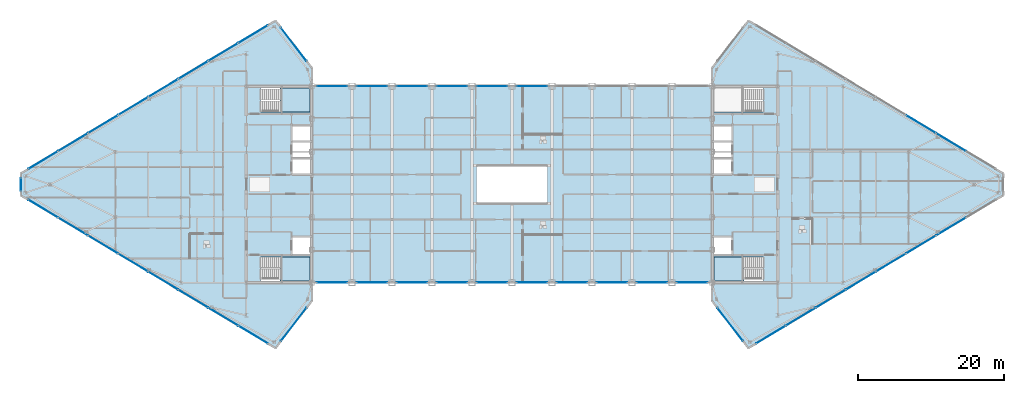
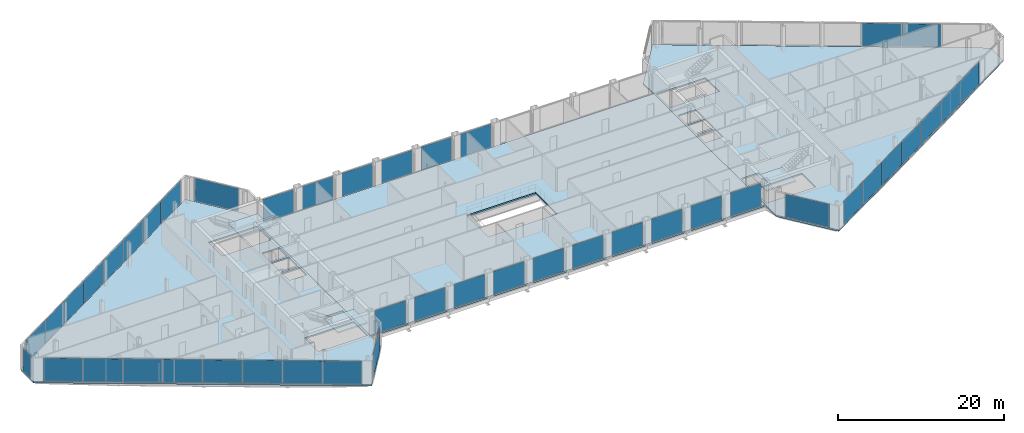
# One storey, part 19 of 29: 45 plates, 6 slabs, 27 elements without a shape of their own.
"""IFC4 building model written with IfcOpenShell, lengths in metres."""

from ifc_helpers import new_model, si_unit, direction, frame, origin, origin_2d, place, context, subcontext, project, spatial, polyline, rectangle, outline, extrude, source, transform, mapped, material, layer, layer_set, type_object, type_shapes, element, aggregate, save


model = new_model("IFC4")

# Units and contexts
model_context = context("Model", 3, precision=1e-05, world=origin(), true_north=direction((0.0, 1.0)))
body_context = subcontext(model_context, "Body", "Model", "MODEL_VIEW")
ifc_project = project(units=[si_unit("LENGTHUNIT", "METRE"), si_unit("AREAUNIT", "SQUARE_METRE"), si_unit("VOLUMEUNIT", "CUBIC_METRE"), si_unit("PLANEANGLEUNIT", "RADIAN"), si_unit("MASSUNIT", "GRAM", prefix="KILO")], contexts=[model_context])

# Site, building, storey
site_placement = place(None, origin())
site = spatial("IfcSite", under=ifc_project, at=site_placement, CompositionType="ELEMENT")
building_placement = place(site_placement, origin())
building = spatial("IfcBuilding", under=site, at=building_placement, Name="Seokmaru Belvedere", CompositionType="ELEMENT")
storey_placement = place(building_placement, frame((0.0, 0.0, 250.64990234375)))
storey = spatial("IfcBuildingStorey", under=building, at=storey_placement, Name="L66", CompositionType="ELEMENT", Elevation=250.64990234375)

# Stair, slab
ifc_material_1 = material(Name="Concrete C40 (40 MPa)", Category="concrete")
stair_type = type_object("IfcStairType", Name="Sky-Gate Residential Core Dog-Leg Stair 3750", PredefinedType="TWO_STRAIGHT_RUN_STAIR", material=ifc_material_1)
stair_1_placement = place(storey_placement, origin())
stair_1 = element("IfcStair", 1, at=stair_1_placement, inside=storey, type_object=stair_type, Name="L66 Special Escape Stair ST-W1", PredefinedType="TWO_STRAIGHT_RUN_STAIR")
ifc_layer_1 = layer(ifc_material_1, 0.199951171875)
ifc_layer_set_1 = layer_set([ifc_layer_1], Name="Concrete C40 (40 MPa)")
slab_type_1 = type_object("IfcSlabType", Name="Reinforced Concrete Stair Landing Slab 200", PredefinedType="LANDING", material=ifc_layer_set_1)
slab_1_placement = place(storey_placement, frame((0.0, 0.0, 1.675048828125)))
slab_1 = element("IfcSlab", 2, at=slab_1_placement, type_object=slab_type_1, Name="ST-W1 landing 1", PredefinedType="LANDING", context=body_context, shape_type="SweptSolid", body=[
    extrude(outline(polyline([(-31.8798828125, -13.239990234375), (-27.760009765625, -13.239990234375), (-27.760009765625, -9.949951171875), (-31.8798828125, -9.949951171875), (-31.8798828125, -13.239990234375)])), origin(), (0.0, 0.0, 1.0), 0.199951171875),
])
aggregate(stair_1, [slab_1])

stair_2_placement = place(storey_placement, origin())
stair_2 = element("IfcStair", 3, at=stair_2_placement, inside=storey, type_object=stair_type, Name="L66 Special Escape Stair ST-W2", PredefinedType="TWO_STRAIGHT_RUN_STAIR")
slab_2_placement = place(storey_placement, frame((0.0, 0.0, 1.675048828125)))
slab_2 = element("IfcSlab", 4, at=slab_2_placement, type_object=slab_type_1, Name="ST-W2 landing 1", PredefinedType="LANDING", context=body_context, shape_type="SweptSolid", body=[
    extrude(outline(polyline([(-31.8798828125, 9.949951171875), (-27.760009765625, 9.949951171875), (-27.760009765625, 13.239990234375), (-31.8798828125, 13.239990234375), (-31.8798828125, 9.949951171875)])), origin(), (0.0, 0.0, 1.0), 0.199951171875),
])
aggregate(stair_2, [slab_2])

stair_3_placement = place(storey_placement, origin())
stair_3 = element("IfcStair", 5, at=stair_3_placement, inside=storey, type_object=stair_type, Name="L66 Special Escape Stair ST-E1", PredefinedType="TWO_STRAIGHT_RUN_STAIR")
slab_3_placement = place(storey_placement, frame((0.0, 0.0, 1.675048828125)))
slab_3 = element("IfcSlab", 6, at=slab_3_placement, type_object=slab_type_1, Name="ST-E1 landing 1", PredefinedType="LANDING", context=body_context, shape_type="SweptSolid", body=[
    extrude(outline(polyline([(27.760009765625, -13.239990234375), (31.8798828125, -13.239990234375), (31.8798828125, -9.949951171875), (27.760009765625, -9.949951171875), (27.760009765625, -13.239990234375)])), origin(), (0.0, 0.0, 1.0), 0.199951171875),
])
aggregate(stair_3, [slab_3])

# Slabs
ifc_layer_2 = layer(ifc_material_1, 0.219970703125)
ifc_layer_set_2 = layer_set([ifc_layer_2], Name="Concrete C40 (40 MPa)")
slab_type_2 = type_object("IfcSlabType", Name="Typical Tower Composite Floor Slab 220", PredefinedType="FLOOR", material=ifc_layer_set_2)
slab_4_placement = place(storey_placement, frame((0.0, 0.0, -0.219970703125)))
element("IfcSlab", 7, at=slab_4_placement, inside=storey, type_object=slab_type_2, Name="L66 West Leg Floor Slab", PredefinedType="FLOOR", context=body_context, shape_type="SweptSolid", body=[
    extrude(outline(polyline([(-27.5, -16.0), (-27.5, 16.0), (-32.5, 22.5), (-67.5, 1.5), (-67.5, -1.5), (-32.5, -22.5), (-27.5, -16.0)]), holes=[polyline([(-34.60009765625, -13.25), (-27.75, -13.25), (-27.75, -9.949951171875), (-34.60009765625, -9.949951171875), (-34.60009765625, -13.25)]), polyline([(-34.60009765625, 9.949951171875), (-27.75, 9.949951171875), (-27.75, 13.25), (-34.60009765625, 13.25), (-34.60009765625, 9.949951171875)]), polyline([(-30.14990234375, -9.550048828125), (-27.75, -9.550048828125), (-27.75, -7.25), (-30.14990234375, -7.25), (-30.14990234375, -9.550048828125)]), polyline([(-30.14990234375, 1.449951171875), (-27.75, 1.449951171875), (-27.75, 3.449951171875), (-30.14990234375, 3.449951171875), (-30.14990234375, 1.449951171875)]), polyline([(-30.14990234375, 3.75), (-27.75, 3.75), (-27.75, 5.75), (-30.14990234375, 5.75), (-30.14990234375, 3.75)]), polyline([(-30.14990234375, 6.050048828125), (-27.75, 6.050048828125), (-27.75, 8.050048828125), (-30.14990234375, 8.050048828125), (-30.14990234375, 6.050048828125)])]), origin(), (0.0, 0.0, 1.0), 0.219970703125),
])
slab_5_placement = place(storey_placement, frame((0.0, 0.0, -0.219970703125)))
element("IfcSlab", 8, at=slab_5_placement, inside=storey, type_object=slab_type_2, Name="L66 East Leg Floor Slab", PredefinedType="FLOOR", context=body_context, shape_type="SweptSolid", body=[
    extrude(outline(polyline([(32.5, -22.5), (67.5, -1.5), (67.5, 1.5), (32.5, 22.5), (27.5, 16.0), (27.5, -16.0), (32.5, -22.5)]), holes=[polyline([(27.75, -13.25), (34.60009765625, -13.25), (34.60009765625, -9.949951171875), (27.75, -9.949951171875), (27.75, -13.25)]), polyline([(27.75, 9.949951171875), (34.60009765625, 9.949951171875), (34.60009765625, 13.25), (27.75, 13.25), (27.75, 9.949951171875)]), polyline([(27.75, -9.550048828125), (30.14990234375, -9.550048828125), (30.14990234375, -7.25), (27.75, -7.25), (27.75, -9.550048828125)]), polyline([(27.75, 1.449951171875), (30.14990234375, 1.449951171875), (30.14990234375, 3.449951171875), (27.75, 3.449951171875), (27.75, 1.449951171875)]), polyline([(27.75, 3.75), (30.14990234375, 3.75), (30.14990234375, 5.75), (27.75, 5.75), (27.75, 3.75)]), polyline([(27.75, 6.050048828125), (30.14990234375, 6.050048828125), (30.14990234375, 8.050048828125), (27.75, 8.050048828125), (27.75, 6.050048828125)])]), origin(), (0.0, 0.0, 1.0), 0.219970703125),
])
slab_6_placement = place(storey_placement, frame((0.0, 0.0, -0.219970703125)))
element("IfcSlab", 9, at=slab_6_placement, inside=storey, type_object=slab_type_2, Name="L66 Sky-Gate Bridge Floor Slab", PredefinedType="FLOOR", context=body_context, shape_type="SweptSolid", body=[
    extrude(outline(polyline([(-27.5, -13.5), (27.5, -13.5), (27.5, 13.5), (-27.5, 13.5), (-27.5, -13.5)]), holes=[polyline([(-4.800048828125, -2.60009765625), (4.800048828125, -2.60009765625), (4.800048828125, 2.60009765625), (-4.800048828125, 2.60009765625), (-4.800048828125, -2.60009765625)])]), origin(), (0.0, 0.0, 1.0), 0.219970703125),
])

# Curtain wall, plate
ifc_material_2 = material(Name="Bronze Triple Insulating Glass", Category="glass")
ifc_layer_3 = layer(ifc_material_2, 0.219970703125)
ifc_layer_set_3 = layer_set([ifc_layer_3], Name="Bronze Triple Insulating Glass")
curtain_wall_type = type_object("IfcCurtainWallType", Name="Sky-Gate Bridge Panorama Curtain Wall System CW-6", PredefinedType="NOTDEFINED", material=ifc_layer_set_3)
curtain_wall_1_placement = place(storey_placement, origin())
curtain_wall_1 = element("IfcCurtainWall", 10, at=curtain_wall_1_placement, inside=storey, type_object=curtain_wall_type, Name="L66 Curtain Wall WF2", PredefinedType="NOTDEFINED")
ifc_layer_4 = layer(ifc_material_2, 0.0419921875)
ifc_layer_set_4 = layer_set([ifc_layer_4], Name="Bronze Triple Insulating Glass")
plate_type = type_object("IfcPlateType", Name="Acoustic Laminated Panorama Glazing Panel 42", PredefinedType="CURTAIN_PANEL", material=ifc_layer_set_4)
shared_shape_1 = source(origin(), body_context, "Body", "SweptSolid", [
    extrude(rectangle(XDim=5.740478515625, YDim=0.0419921875, at=origin_2d()), origin(), (0.0, 0.0, 1.0), 3.3798828125),
])
plate_1_placement = place(storey_placement, frame((-30.0, 19.25, 0.0751953125), z_axis=(0.0, 0.0, 1.0), x_axis=(-0.609701187349, 0.792631353244, 0.0)))
plate_1 = element("IfcPlate", 11, at=plate_1_placement, type_object=plate_type, Name="CW:L66:WF2 Glazing Panel 1-1", PredefinedType="CURTAIN_PANEL", context=body_context, shape_type="MappedRepresentation", body=[
    mapped(shared_shape_1, transform((0.0, 0.0, 0.0), scale=1.0)),
])
aggregate(curtain_wall_1, [plate_1])

curtain_wall_2_placement = place(storey_placement, origin())
curtain_wall_2 = element("IfcCurtainWall", 12, at=curtain_wall_2_placement, inside=storey, type_object=curtain_wall_type, Name="L66 Curtain Wall WF6", PredefinedType="NOTDEFINED")
plate_2_placement = place(storey_placement, frame((-30.0, -19.25, 0.0751953125), z_axis=(0.0, 0.0, 1.0), x_axis=(0.609701187349, 0.792631353244, 0.0)))
plate_2 = element("IfcPlate", 13, at=plate_2_placement, type_object=plate_type, Name="CW:L66:WF6 Glazing Panel 1-1", PredefinedType="CURTAIN_PANEL", context=body_context, shape_type="MappedRepresentation", body=[
    mapped(shared_shape_1, transform((0.0, 0.0, 0.0), scale=1.0)),
])
aggregate(curtain_wall_2, [plate_2])

curtain_wall_3_placement = place(storey_placement, origin())
curtain_wall_3 = element("IfcCurtainWall", 14, at=curtain_wall_3_placement, inside=storey, type_object=curtain_wall_type, Name="L66 Curtain Wall EF6", PredefinedType="NOTDEFINED")
plate_3_placement = place(storey_placement, frame((30.0, -19.25, 0.0751953125), z_axis=(0.0, 0.0, 1.0), x_axis=(0.609701187349, -0.792631353244, 0.0)))
plate_3 = element("IfcPlate", 15, at=plate_3_placement, type_object=plate_type, Name="CW:L66:EF6 Glazing Panel 1-1", PredefinedType="CURTAIN_PANEL", context=body_context, shape_type="MappedRepresentation", body=[
    mapped(shared_shape_1, transform((0.0, 0.0, 0.0), scale=1.0)),
])
aggregate(curtain_wall_3, [plate_3])

# Curtain wall, plates
curtain_wall_4_placement = place(storey_placement, origin())
curtain_wall_4 = element("IfcCurtainWall", 16, at=curtain_wall_4_placement, inside=storey, type_object=curtain_wall_type, Name="L66 Curtain Wall WF3", PredefinedType="NOTDEFINED")
shared_shape_2 = source(origin(), body_context, "Body", "SweptSolid", [
    extrude(rectangle(XDim=4.694580078125, YDim=0.0419921875, at=origin_2d()), origin(), (0.0, 0.0, 1.0), 3.3798828125),
])
plate_4_placement = place(storey_placement, frame((-35.5673828125, 20.659423828125, 0.0751953125), z_axis=(0.0, 0.0, 1.0), x_axis=(-0.85749343335, -0.514494909364, 0.0)))
plate_4 = element("IfcPlate", 17, at=plate_4_placement, type_object=plate_type, Name="CW:L66:WF3 Glazing Panel 1-1", PredefinedType="CURTAIN_PANEL", context=body_context, shape_type="MappedRepresentation", body=[
    mapped(shared_shape_2, transform((0.0, 0.0, 0.0), scale=1.0)),
])
plate_5_placement = place(storey_placement, frame((-64.4326171875, 3.340576171875, 0.0751953125), z_axis=(0.0, 0.0, 1.0), x_axis=(-0.85749343335, -0.514494909364, 0.0)))
plate_5 = element("IfcPlate", 18, at=plate_5_placement, type_object=plate_type, Name="CW:L66:WF3 Glazing Panel 8-1", PredefinedType="CURTAIN_PANEL", context=body_context, shape_type="MappedRepresentation", body=[
    mapped(shared_shape_2, transform((0.0, 0.0, 0.0), scale=1.0)),
])

curtain_wall_5_placement = place(storey_placement, origin())
curtain_wall_5 = element("IfcCurtainWall", 19, at=curtain_wall_5_placement, inside=storey, type_object=curtain_wall_type, Name="L66 Curtain Wall WF5", PredefinedType="NOTDEFINED")
plate_6_placement = place(storey_placement, frame((-64.4326171875, -3.340576171875, 0.0751953125), z_axis=(0.0, 0.0, 1.0), x_axis=(0.85749343335, -0.514494909364, 0.0)))
plate_6 = element("IfcPlate", 20, at=plate_6_placement, type_object=plate_type, Name="CW:L66:WF5 Glazing Panel 1-1", PredefinedType="CURTAIN_PANEL", context=body_context, shape_type="MappedRepresentation", body=[
    mapped(shared_shape_2, transform((0.0, 0.0, 0.0), scale=1.0)),
])
plate_7_placement = place(storey_placement, frame((-35.5673828125, -20.659423828125, 0.0751953125), z_axis=(0.0, 0.0, 1.0), x_axis=(0.85749343335, -0.514494909364, 0.0)))
plate_7 = element("IfcPlate", 21, at=plate_7_placement, type_object=plate_type, Name="CW:L66:WF5 Glazing Panel 8-1", PredefinedType="CURTAIN_PANEL", context=body_context, shape_type="MappedRepresentation", body=[
    mapped(shared_shape_2, transform((0.0, 0.0, 0.0), scale=1.0)),
])

# Curtain wall, plate
curtain_wall_6_placement = place(storey_placement, origin())
curtain_wall_6 = element("IfcCurtainWall", 22, at=curtain_wall_6_placement, inside=storey, type_object=curtain_wall_type, Name="L66 Curtain Wall EF1", PredefinedType="NOTDEFINED")
plate_8_placement = place(storey_placement, frame((35.5673828125, -20.659423828125, 0.0751953125), z_axis=(0.0, 0.0, 1.0), x_axis=(0.85749343335, 0.514494909364, 0.0)))
plate_8 = element("IfcPlate", 23, at=plate_8_placement, type_object=plate_type, Name="CW:L66:EF1 Glazing Panel 1-1", PredefinedType="CURTAIN_PANEL", context=body_context, shape_type="MappedRepresentation", body=[
    mapped(shared_shape_2, transform((0.0, 0.0, 0.0), scale=1.0)),
])

# Plate
shared_shape_3 = source(origin(), body_context, "Body", "SweptSolid", [
    extrude(rectangle(XDim=4.734619140625, YDim=0.0419921875, at=origin_2d()), origin(), (0.0, 0.0, 1.0), 3.3798828125),
])
plate_9_placement = place(storey_placement, frame((-39.6787109375, 18.192626953125, 0.0751953125), z_axis=(0.0, 0.0, 1.0), x_axis=(-0.85749343335, -0.514494909364, 0.0)))
plate_9 = element("IfcPlate", 24, at=plate_9_placement, type_object=plate_type, Name="CW:L66:WF3 Glazing Panel 2-1", PredefinedType="CURTAIN_PANEL", context=body_context, shape_type="MappedRepresentation", body=[
    mapped(shared_shape_3, transform((0.0, 0.0, 0.0), scale=1.0)),
])

plate_10_placement = place(storey_placement, frame((-43.807373046875, 15.715576171875, 0.0751953125), z_axis=(0.0, 0.0, 1.0), x_axis=(-0.85749343335, -0.514494909364, 0.0)))
plate_10 = element("IfcPlate", 25, at=plate_10_placement, type_object=plate_type, Name="CW:L66:WF3 Glazing Panel 3-1", PredefinedType="CURTAIN_PANEL", context=body_context, shape_type="MappedRepresentation", body=[
    mapped(shared_shape_3, transform((0.0, 0.0, 0.0), scale=1.0)),
])

plate_11_placement = place(storey_placement, frame((-47.935791015625, 13.238525390625, 0.0751953125), z_axis=(0.0, 0.0, 1.0), x_axis=(-0.85749343335, -0.514494909364, 0.0)))
plate_11 = element("IfcPlate", 26, at=plate_11_placement, type_object=plate_type, Name="CW:L66:WF3 Glazing Panel 4-1", PredefinedType="CURTAIN_PANEL", context=body_context, shape_type="MappedRepresentation", body=[
    mapped(shared_shape_3, transform((0.0, 0.0, 0.0), scale=1.0)),
])

plate_12_placement = place(storey_placement, frame((-52.064208984375, 10.761474609375, 0.0751953125), z_axis=(0.0, 0.0, 1.0), x_axis=(-0.85749343335, -0.514494909364, 0.0)))
plate_12 = element("IfcPlate", 27, at=plate_12_placement, type_object=plate_type, Name="CW:L66:WF3 Glazing Panel 5-1", PredefinedType="CURTAIN_PANEL", context=body_context, shape_type="MappedRepresentation", body=[
    mapped(shared_shape_3, transform((0.0, 0.0, 0.0), scale=1.0)),
])

plate_13_placement = place(storey_placement, frame((-56.192626953125, 8.284423828125, 0.0751953125), z_axis=(0.0, 0.0, 1.0), x_axis=(-0.85749343335, -0.514494909364, 0.0)))
plate_13 = element("IfcPlate", 28, at=plate_13_placement, type_object=plate_type, Name="CW:L66:WF3 Glazing Panel 6-1", PredefinedType="CURTAIN_PANEL", context=body_context, shape_type="MappedRepresentation", body=[
    mapped(shared_shape_3, transform((0.0, 0.0, 0.0), scale=1.0)),
])

plate_14_placement = place(storey_placement, frame((-60.3212890625, 5.807373046875, 0.0751953125), z_axis=(0.0, 0.0, 1.0), x_axis=(-0.85749343335, -0.514494909364, 0.0)))
plate_14 = element("IfcPlate", 29, at=plate_14_placement, type_object=plate_type, Name="CW:L66:WF3 Glazing Panel 7-1", PredefinedType="CURTAIN_PANEL", context=body_context, shape_type="MappedRepresentation", body=[
    mapped(shared_shape_3, transform((0.0, 0.0, 0.0), scale=1.0)),
])

aggregate(curtain_wall_4, [plate_4, plate_9, plate_10, plate_11, plate_12, plate_13, plate_14, plate_5])

plate_15_placement = place(storey_placement, frame((-60.3212890625, -5.807373046875, 0.0751953125), z_axis=(0.0, 0.0, 1.0), x_axis=(0.85749343335, -0.514494909364, 0.0)))
plate_15 = element("IfcPlate", 30, at=plate_15_placement, type_object=plate_type, Name="CW:L66:WF5 Glazing Panel 2-1", PredefinedType="CURTAIN_PANEL", context=body_context, shape_type="MappedRepresentation", body=[
    mapped(shared_shape_3, transform((0.0, 0.0, 0.0), scale=1.0)),
])

plate_16_placement = place(storey_placement, frame((-56.192626953125, -8.284423828125, 0.0751953125), z_axis=(0.0, 0.0, 1.0), x_axis=(0.85749343335, -0.514494909364, 0.0)))
plate_16 = element("IfcPlate", 31, at=plate_16_placement, type_object=plate_type, Name="CW:L66:WF5 Glazing Panel 3-1", PredefinedType="CURTAIN_PANEL", context=body_context, shape_type="MappedRepresentation", body=[
    mapped(shared_shape_3, transform((0.0, 0.0, 0.0), scale=1.0)),
])

plate_17_placement = place(storey_placement, frame((-52.064208984375, -10.761474609375, 0.0751953125), z_axis=(0.0, 0.0, 1.0), x_axis=(0.85749343335, -0.514494909364, 0.0)))
plate_17 = element("IfcPlate", 32, at=plate_17_placement, type_object=plate_type, Name="CW:L66:WF5 Glazing Panel 4-1", PredefinedType="CURTAIN_PANEL", context=body_context, shape_type="MappedRepresentation", body=[
    mapped(shared_shape_3, transform((0.0, 0.0, 0.0), scale=1.0)),
])

plate_18_placement = place(storey_placement, frame((-47.935791015625, -13.238525390625, 0.0751953125), z_axis=(0.0, 0.0, 1.0), x_axis=(0.85749343335, -0.514494909364, 0.0)))
plate_18 = element("IfcPlate", 33, at=plate_18_placement, type_object=plate_type, Name="CW:L66:WF5 Glazing Panel 5-1", PredefinedType="CURTAIN_PANEL", context=body_context, shape_type="MappedRepresentation", body=[
    mapped(shared_shape_3, transform((0.0, 0.0, 0.0), scale=1.0)),
])

plate_19_placement = place(storey_placement, frame((-43.807373046875, -15.715576171875, 0.0751953125), z_axis=(0.0, 0.0, 1.0), x_axis=(0.85749343335, -0.514494909364, 0.0)))
plate_19 = element("IfcPlate", 34, at=plate_19_placement, type_object=plate_type, Name="CW:L66:WF5 Glazing Panel 6-1", PredefinedType="CURTAIN_PANEL", context=body_context, shape_type="MappedRepresentation", body=[
    mapped(shared_shape_3, transform((0.0, 0.0, 0.0), scale=1.0)),
])

plate_20_placement = place(storey_placement, frame((-39.6787109375, -18.192626953125, 0.0751953125), z_axis=(0.0, 0.0, 1.0), x_axis=(0.85749343335, -0.514494909364, 0.0)))
plate_20 = element("IfcPlate", 35, at=plate_20_placement, type_object=plate_type, Name="CW:L66:WF5 Glazing Panel 7-1", PredefinedType="CURTAIN_PANEL", context=body_context, shape_type="MappedRepresentation", body=[
    mapped(shared_shape_3, transform((0.0, 0.0, 0.0), scale=1.0)),
])

aggregate(curtain_wall_5, [plate_6, plate_15, plate_16, plate_17, plate_18, plate_19, plate_20, plate_7])

plate_21_placement = place(storey_placement, frame((39.6787109375, -18.192626953125, 0.0751953125), z_axis=(0.0, 0.0, 1.0), x_axis=(0.85749343335, 0.514494909364, 0.0)))
plate_21 = element("IfcPlate", 36, at=plate_21_placement, type_object=plate_type, Name="CW:L66:EF1 Glazing Panel 2-1", PredefinedType="CURTAIN_PANEL", context=body_context, shape_type="MappedRepresentation", body=[
    mapped(shared_shape_3, transform((0.0, 0.0, 0.0), scale=1.0)),
])

plate_22_placement = place(storey_placement, frame((43.807373046875, -15.715576171875, 0.0751953125), z_axis=(0.0, 0.0, 1.0), x_axis=(0.85749343335, 0.514494909364, 0.0)))
plate_22 = element("IfcPlate", 37, at=plate_22_placement, type_object=plate_type, Name="CW:L66:EF1 Glazing Panel 3-1", PredefinedType="CURTAIN_PANEL", context=body_context, shape_type="MappedRepresentation", body=[
    mapped(shared_shape_3, transform((0.0, 0.0, 0.0), scale=1.0)),
])

plate_23_placement = place(storey_placement, frame((47.935791015625, -13.238525390625, 0.0751953125), z_axis=(0.0, 0.0, 1.0), x_axis=(0.85749343335, 0.514494909364, 0.0)))
plate_23 = element("IfcPlate", 38, at=plate_23_placement, type_object=plate_type, Name="CW:L66:EF1 Glazing Panel 4-1", PredefinedType="CURTAIN_PANEL", context=body_context, shape_type="MappedRepresentation", body=[
    mapped(shared_shape_3, transform((0.0, 0.0, 0.0), scale=1.0)),
])

plate_24_placement = place(storey_placement, frame((52.064208984375, -10.761474609375, 0.0751953125), z_axis=(0.0, 0.0, 1.0), x_axis=(0.85749343335, 0.514494909364, 0.0)))
plate_24 = element("IfcPlate", 39, at=plate_24_placement, type_object=plate_type, Name="CW:L66:EF1 Glazing Panel 5-1", PredefinedType="CURTAIN_PANEL", context=body_context, shape_type="MappedRepresentation", body=[
    mapped(shared_shape_3, transform((0.0, 0.0, 0.0), scale=1.0)),
])

plate_25_placement = place(storey_placement, frame((56.192626953125, -8.284423828125, 0.0751953125), z_axis=(0.0, 0.0, 1.0), x_axis=(0.85749343335, 0.514494909364, 0.0)))
plate_25 = element("IfcPlate", 40, at=plate_25_placement, type_object=plate_type, Name="CW:L66:EF1 Glazing Panel 6-1", PredefinedType="CURTAIN_PANEL", context=body_context, shape_type="MappedRepresentation", body=[
    mapped(shared_shape_3, transform((0.0, 0.0, 0.0), scale=1.0)),
])

plate_26_placement = place(storey_placement, frame((60.3212890625, -5.807373046875, 0.0751953125), z_axis=(0.0, 0.0, 1.0), x_axis=(0.85749343335, 0.514494909364, 0.0)))
plate_26 = element("IfcPlate", 41, at=plate_26_placement, type_object=plate_type, Name="CW:L66:EF1 Glazing Panel 7-1", PredefinedType="CURTAIN_PANEL", context=body_context, shape_type="MappedRepresentation", body=[
    mapped(shared_shape_3, transform((0.0, 0.0, 0.0), scale=1.0)),
])

aggregate(curtain_wall_6, [plate_8, plate_21, plate_22, plate_23, plate_24, plate_25, plate_26])

# Curtain wall, plates
curtain_wall_7_placement = place(storey_placement, origin())
curtain_wall_7 = element("IfcCurtainWall", 42, at=curtain_wall_7_placement, inside=storey, type_object=curtain_wall_type, Name="L66 Curtain Wall EF3", PredefinedType="NOTDEFINED")
plate_27_placement = place(storey_placement, frame((60.3212890625, 5.807373046875, 0.0751953125), z_axis=(0.0, 0.0, 1.0), x_axis=(-0.85749343335, 0.514494909364, 0.0)))
plate_27 = element("IfcPlate", 43, at=plate_27_placement, type_object=plate_type, Name="CW:L66:EF3 Glazing Panel 2-1", PredefinedType="CURTAIN_PANEL", context=body_context, shape_type="MappedRepresentation", body=[
    mapped(shared_shape_3, transform((0.0, 0.0, 0.0), scale=1.0)),
])
plate_28_placement = place(storey_placement, frame((56.192626953125, 8.284423828125, 0.0751953125), z_axis=(0.0, 0.0, 1.0), x_axis=(-0.85749343335, 0.514494909364, 0.0)))
plate_28 = element("IfcPlate", 44, at=plate_28_placement, type_object=plate_type, Name="CW:L66:EF3 Glazing Panel 3-1", PredefinedType="CURTAIN_PANEL", context=body_context, shape_type="MappedRepresentation", body=[
    mapped(shared_shape_3, transform((0.0, 0.0, 0.0), scale=1.0)),
])
aggregate(curtain_wall_7, [plate_27, plate_28])

# Curtain wall, plate
curtain_wall_8_placement = place(storey_placement, origin())
curtain_wall_8 = element("IfcCurtainWall", 45, at=curtain_wall_8_placement, inside=storey, type_object=curtain_wall_type, Name="L66 Curtain Wall WF4", PredefinedType="NOTDEFINED")
shared_shape_4 = source(origin(), body_context, "Body", "SweptSolid", [
    extrude(rectangle(XDim=1.739990234375, YDim=0.0419921875, at=origin_2d()), origin(), (0.0, 0.0, 1.0), 3.3798828125),
])
plate_29_placement = place(storey_placement, frame((-67.5, 0.0, 0.0751953125), z_axis=(0.0, 0.0, 1.0), x_axis=(0.0, -1.0, 0.0)))
plate_29 = element("IfcPlate", 46, at=plate_29_placement, type_object=plate_type, Name="CW:L66:WF4 Glazing Panel 1-1", PredefinedType="CURTAIN_PANEL", context=body_context, shape_type="MappedRepresentation", body=[
    mapped(shared_shape_4, transform((0.0, 0.0, 0.0), scale=1.0)),
])
aggregate(curtain_wall_8, [plate_29])

curtain_wall_9_placement = place(storey_placement, origin())
curtain_wall_9 = element("IfcCurtainWall", 47, at=curtain_wall_9_placement, inside=storey, type_object=curtain_wall_type, Name="L66 Curtain Wall BR_S01", PredefinedType="NOTDEFINED")
shared_shape_5 = source(origin(), body_context, "Body", "SweptSolid", [
    extrude(rectangle(XDim=4.239990234375, YDim=0.0419921875, at=origin_2d()), origin(), (0.0, 0.0, 1.0), 3.3798828125),
])
type_shapes(plate_type, [shared_shape_1, shared_shape_2, shared_shape_3, shared_shape_4, shared_shape_5])
plate_30_placement = place(storey_placement, frame((-24.75, -13.5, 0.0751953125), z_axis=(0.0, 0.0, 1.0), x_axis=(1.0, 0.0, 0.0)))
plate_30 = element("IfcPlate", 48, at=plate_30_placement, type_object=plate_type, Name="CW:L66:BR_S01 Glazing Panel 1-1", PredefinedType="CURTAIN_PANEL", context=body_context, shape_type="MappedRepresentation", body=[
    mapped(shared_shape_5, transform((0.0, 0.0, 0.0), scale=1.0)),
])
aggregate(curtain_wall_9, [plate_30])

curtain_wall_10_placement = place(storey_placement, origin())
curtain_wall_10 = element("IfcCurtainWall", 49, at=curtain_wall_10_placement, inside=storey, type_object=curtain_wall_type, Name="L66 Curtain Wall BR_N01", PredefinedType="NOTDEFINED")
plate_31_placement = place(storey_placement, frame((-24.75, 13.5, 0.0751953125), z_axis=(0.0, 0.0, 1.0), x_axis=(-1.0, 0.0, 0.0)))
plate_31 = element("IfcPlate", 50, at=plate_31_placement, type_object=plate_type, Name="CW:L66:BR_N01 Glazing Panel 1-1", PredefinedType="CURTAIN_PANEL", context=body_context, shape_type="MappedRepresentation", body=[
    mapped(shared_shape_5, transform((0.0, 0.0, 0.0), scale=1.0)),
])
aggregate(curtain_wall_10, [plate_31])

curtain_wall_11_placement = place(storey_placement, origin())
curtain_wall_11 = element("IfcCurtainWall", 51, at=curtain_wall_11_placement, inside=storey, type_object=curtain_wall_type, Name="L66 Curtain Wall BR_S02", PredefinedType="NOTDEFINED")
plate_32_placement = place(storey_placement, frame((-19.25, -13.5, 0.0751953125), z_axis=(0.0, 0.0, 1.0), x_axis=(1.0, 0.0, 0.0)))
plate_32 = element("IfcPlate", 52, at=plate_32_placement, type_object=plate_type, Name="CW:L66:BR_S02 Glazing Panel 1-1", PredefinedType="CURTAIN_PANEL", context=body_context, shape_type="MappedRepresentation", body=[
    mapped(shared_shape_5, transform((0.0, 0.0, 0.0), scale=1.0)),
])
aggregate(curtain_wall_11, [plate_32])

curtain_wall_12_placement = place(storey_placement, origin())
curtain_wall_12 = element("IfcCurtainWall", 53, at=curtain_wall_12_placement, inside=storey, type_object=curtain_wall_type, Name="L66 Curtain Wall BR_N02", PredefinedType="NOTDEFINED")
plate_33_placement = place(storey_placement, frame((-19.25, 13.5, 0.0751953125), z_axis=(0.0, 0.0, 1.0), x_axis=(-1.0, 0.0, 0.0)))
plate_33 = element("IfcPlate", 54, at=plate_33_placement, type_object=plate_type, Name="CW:L66:BR_N02 Glazing Panel 1-1", PredefinedType="CURTAIN_PANEL", context=body_context, shape_type="MappedRepresentation", body=[
    mapped(shared_shape_5, transform((0.0, 0.0, 0.0), scale=1.0)),
])
aggregate(curtain_wall_12, [plate_33])

curtain_wall_13_placement = place(storey_placement, origin())
curtain_wall_13 = element("IfcCurtainWall", 55, at=curtain_wall_13_placement, inside=storey, type_object=curtain_wall_type, Name="L66 Curtain Wall BR_S03", PredefinedType="NOTDEFINED")
plate_34_placement = place(storey_placement, frame((-13.75, -13.5, 0.0751953125), z_axis=(0.0, 0.0, 1.0), x_axis=(1.0, 0.0, 0.0)))
plate_34 = element("IfcPlate", 56, at=plate_34_placement, type_object=plate_type, Name="CW:L66:BR_S03 Glazing Panel 1-1", PredefinedType="CURTAIN_PANEL", context=body_context, shape_type="MappedRepresentation", body=[
    mapped(shared_shape_5, transform((0.0, 0.0, 0.0), scale=1.0)),
])
aggregate(curtain_wall_13, [plate_34])

curtain_wall_14_placement = place(storey_placement, origin())
curtain_wall_14 = element("IfcCurtainWall", 57, at=curtain_wall_14_placement, inside=storey, type_object=curtain_wall_type, Name="L66 Curtain Wall BR_N03", PredefinedType="NOTDEFINED")
plate_35_placement = place(storey_placement, frame((-13.75, 13.5, 0.0751953125), z_axis=(0.0, 0.0, 1.0), x_axis=(-1.0, 0.0, 0.0)))
plate_35 = element("IfcPlate", 58, at=plate_35_placement, type_object=plate_type, Name="CW:L66:BR_N03 Glazing Panel 1-1", PredefinedType="CURTAIN_PANEL", context=body_context, shape_type="MappedRepresentation", body=[
    mapped(shared_shape_5, transform((0.0, 0.0, 0.0), scale=1.0)),
])
aggregate(curtain_wall_14, [plate_35])

curtain_wall_15_placement = place(storey_placement, origin())
curtain_wall_15 = element("IfcCurtainWall", 59, at=curtain_wall_15_placement, inside=storey, type_object=curtain_wall_type, Name="L66 Curtain Wall BR_S04", PredefinedType="NOTDEFINED")
plate_36_placement = place(storey_placement, frame((-8.25, -13.5, 0.0751953125), z_axis=(0.0, 0.0, 1.0), x_axis=(1.0, 0.0, 0.0)))
plate_36 = element("IfcPlate", 60, at=plate_36_placement, type_object=plate_type, Name="CW:L66:BR_S04 Glazing Panel 1-1", PredefinedType="CURTAIN_PANEL", context=body_context, shape_type="MappedRepresentation", body=[
    mapped(shared_shape_5, transform((0.0, 0.0, 0.0), scale=1.0)),
])
aggregate(curtain_wall_15, [plate_36])

curtain_wall_16_placement = place(storey_placement, origin())
curtain_wall_16 = element("IfcCurtainWall", 61, at=curtain_wall_16_placement, inside=storey, type_object=curtain_wall_type, Name="L66 Curtain Wall BR_N04", PredefinedType="NOTDEFINED")
plate_37_placement = place(storey_placement, frame((-8.25, 13.5, 0.0751953125), z_axis=(0.0, 0.0, 1.0), x_axis=(-1.0, 0.0, 0.0)))
plate_37 = element("IfcPlate", 62, at=plate_37_placement, type_object=plate_type, Name="CW:L66:BR_N04 Glazing Panel 1-1", PredefinedType="CURTAIN_PANEL", context=body_context, shape_type="MappedRepresentation", body=[
    mapped(shared_shape_5, transform((0.0, 0.0, 0.0), scale=1.0)),
])
aggregate(curtain_wall_16, [plate_37])

curtain_wall_17_placement = place(storey_placement, origin())
curtain_wall_17 = element("IfcCurtainWall", 63, at=curtain_wall_17_placement, inside=storey, type_object=curtain_wall_type, Name="L66 Curtain Wall BR_S05", PredefinedType="NOTDEFINED")
plate_38_placement = place(storey_placement, frame((-2.75, -13.5, 0.0751953125), z_axis=(0.0, 0.0, 1.0), x_axis=(1.0, 0.0, 0.0)))
plate_38 = element("IfcPlate", 64, at=plate_38_placement, type_object=plate_type, Name="CW:L66:BR_S05 Glazing Panel 1-1", PredefinedType="CURTAIN_PANEL", context=body_context, shape_type="MappedRepresentation", body=[
    mapped(shared_shape_5, transform((0.0, 0.0, 0.0), scale=1.0)),
])
aggregate(curtain_wall_17, [plate_38])

curtain_wall_18_placement = place(storey_placement, origin())
curtain_wall_18 = element("IfcCurtainWall", 65, at=curtain_wall_18_placement, inside=storey, type_object=curtain_wall_type, Name="L66 Curtain Wall BR_N05", PredefinedType="NOTDEFINED")
plate_39_placement = place(storey_placement, frame((-2.75, 13.5, 0.0751953125), z_axis=(0.0, 0.0, 1.0), x_axis=(-1.0, 0.0, 0.0)))
plate_39 = element("IfcPlate", 66, at=plate_39_placement, type_object=plate_type, Name="CW:L66:BR_N05 Glazing Panel 1-1", PredefinedType="CURTAIN_PANEL", context=body_context, shape_type="MappedRepresentation", body=[
    mapped(shared_shape_5, transform((0.0, 0.0, 0.0), scale=1.0)),
])
aggregate(curtain_wall_18, [plate_39])

curtain_wall_19_placement = place(storey_placement, origin())
curtain_wall_19 = element("IfcCurtainWall", 67, at=curtain_wall_19_placement, inside=storey, type_object=curtain_wall_type, Name="L66 Curtain Wall BR_S06", PredefinedType="NOTDEFINED")
plate_40_placement = place(storey_placement, frame((2.75, -13.5, 0.0751953125), z_axis=(0.0, 0.0, 1.0), x_axis=(1.0, 0.0, 0.0)))
plate_40 = element("IfcPlate", 68, at=plate_40_placement, type_object=plate_type, Name="CW:L66:BR_S06 Glazing Panel 1-1", PredefinedType="CURTAIN_PANEL", context=body_context, shape_type="MappedRepresentation", body=[
    mapped(shared_shape_5, transform((0.0, 0.0, 0.0), scale=1.0)),
])
aggregate(curtain_wall_19, [plate_40])

curtain_wall_20_placement = place(storey_placement, origin())
curtain_wall_20 = element("IfcCurtainWall", 69, at=curtain_wall_20_placement, inside=storey, type_object=curtain_wall_type, Name="L66 Curtain Wall BR_N06", PredefinedType="NOTDEFINED")
plate_41_placement = place(storey_placement, frame((2.75, 13.5, 0.0751953125), z_axis=(0.0, 0.0, 1.0), x_axis=(-1.0, 0.0, 0.0)))
plate_41 = element("IfcPlate", 70, at=plate_41_placement, type_object=plate_type, Name="CW:L66:BR_N06 Glazing Panel 1-1", PredefinedType="CURTAIN_PANEL", context=body_context, shape_type="MappedRepresentation", body=[
    mapped(shared_shape_5, transform((0.0, 0.0, 0.0), scale=1.0)),
])
aggregate(curtain_wall_20, [plate_41])

curtain_wall_21_placement = place(storey_placement, origin())
curtain_wall_21 = element("IfcCurtainWall", 71, at=curtain_wall_21_placement, inside=storey, type_object=curtain_wall_type, Name="L66 Curtain Wall BR_S07", PredefinedType="NOTDEFINED")
plate_42_placement = place(storey_placement, frame((8.25, -13.5, 0.0751953125), z_axis=(0.0, 0.0, 1.0), x_axis=(1.0, 0.0, 0.0)))
plate_42 = element("IfcPlate", 72, at=plate_42_placement, type_object=plate_type, Name="CW:L66:BR_S07 Glazing Panel 1-1", PredefinedType="CURTAIN_PANEL", context=body_context, shape_type="MappedRepresentation", body=[
    mapped(shared_shape_5, transform((0.0, 0.0, 0.0), scale=1.0)),
])
aggregate(curtain_wall_21, [plate_42])

curtain_wall_22_placement = place(storey_placement, origin())
curtain_wall_22 = element("IfcCurtainWall", 73, at=curtain_wall_22_placement, inside=storey, type_object=curtain_wall_type, Name="L66 Curtain Wall BR_S08", PredefinedType="NOTDEFINED")
plate_43_placement = place(storey_placement, frame((13.75, -13.5, 0.0751953125), z_axis=(0.0, 0.0, 1.0), x_axis=(1.0, 0.0, 0.0)))
plate_43 = element("IfcPlate", 74, at=plate_43_placement, type_object=plate_type, Name="CW:L66:BR_S08 Glazing Panel 1-1", PredefinedType="CURTAIN_PANEL", context=body_context, shape_type="MappedRepresentation", body=[
    mapped(shared_shape_5, transform((0.0, 0.0, 0.0), scale=1.0)),
])
aggregate(curtain_wall_22, [plate_43])

curtain_wall_23_placement = place(storey_placement, origin())
curtain_wall_23 = element("IfcCurtainWall", 75, at=curtain_wall_23_placement, inside=storey, type_object=curtain_wall_type, Name="L66 Curtain Wall BR_S09", PredefinedType="NOTDEFINED")
plate_44_placement = place(storey_placement, frame((19.25, -13.5, 0.0751953125), z_axis=(0.0, 0.0, 1.0), x_axis=(1.0, 0.0, 0.0)))
plate_44 = element("IfcPlate", 76, at=plate_44_placement, type_object=plate_type, Name="CW:L66:BR_S09 Glazing Panel 1-1", PredefinedType="CURTAIN_PANEL", context=body_context, shape_type="MappedRepresentation", body=[
    mapped(shared_shape_5, transform((0.0, 0.0, 0.0), scale=1.0)),
])
aggregate(curtain_wall_23, [plate_44])

curtain_wall_24_placement = place(storey_placement, origin())
curtain_wall_24 = element("IfcCurtainWall", 77, at=curtain_wall_24_placement, inside=storey, type_object=curtain_wall_type, Name="L66 Curtain Wall BR_S10", PredefinedType="NOTDEFINED")
plate_45_placement = place(storey_placement, frame((24.75, -13.5, 0.0751953125), z_axis=(0.0, 0.0, 1.0), x_axis=(1.0, 0.0, 0.0)))
plate_45 = element("IfcPlate", 78, at=plate_45_placement, type_object=plate_type, Name="CW:L66:BR_S10 Glazing Panel 1-1", PredefinedType="CURTAIN_PANEL", context=body_context, shape_type="MappedRepresentation", body=[
    mapped(shared_shape_5, transform((0.0, 0.0, 0.0), scale=1.0)),
])
aggregate(curtain_wall_24, [plate_45])

save(model, "model.ifc")
